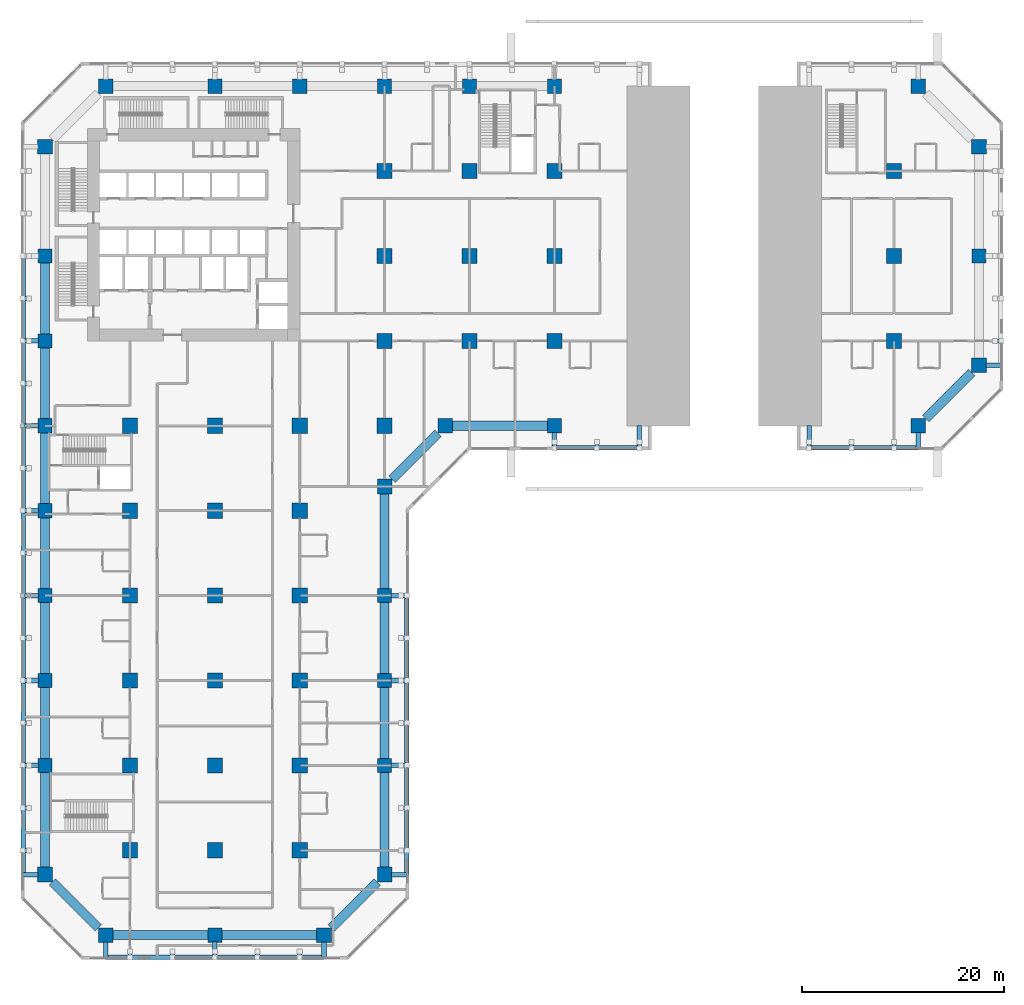
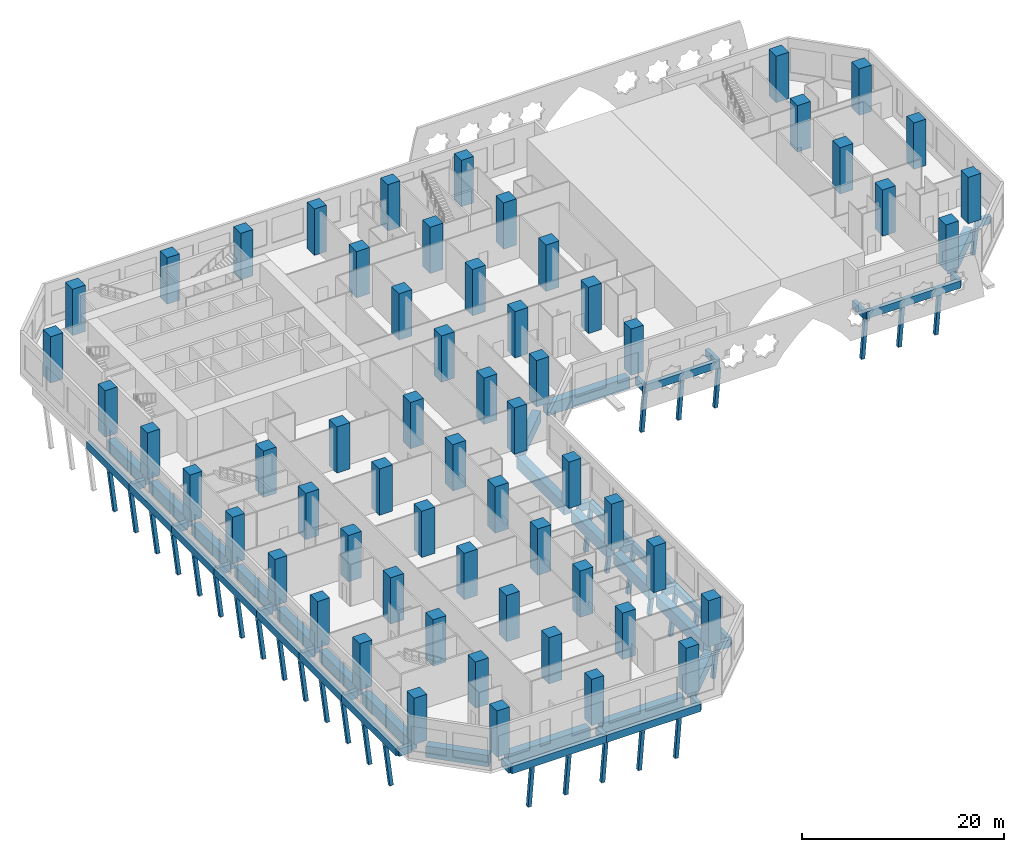
# One storey, part 1 of 24: 61 columns, 51 beams, 33 members.
"""IFC4 building model written with IfcOpenShell, lengths in metres."""

import ifcopenshell
import ifcopenshell.guid

model = None  # the IFC model being written
_history = None  # IfcOwnerHistory: only IFC2X3 demands one
_inside = {}  # id of a spatial element -> (the spatial element, [elements in it])
_under = {}  # id of a project, library or spatial element -> (it, [spatial elements below it])
_declared = {}  # id of a project -> (the project, [libraries it declares])
_typed = {}  # id of a type object -> (the type object, [elements of that type])
_made_of = {}  # id of a material, layer set ... -> (it, [elements and type objects made of it])


def new_model(schema):
    """Start an empty IFC model of exactly this schema.

    Asked for "IFC4X3", IfcOpenShell would pick the latest addendum, in which some entities
    have other attributes; the version numbers below select the first issue.
    IFC2X3 requires an IfcOwnerHistory on every rooted entity: one is made here for all.
    """
    global model, _history
    if schema == "IFC4X3":
        model = ifcopenshell.file(schema_version=(4, 3, 0, 0))
    else:
        model = ifcopenshell.file(schema=schema)
    _inside.clear()
    _under.clear()
    _declared.clear()
    _typed.clear()
    _made_of.clear()
    _history = None
    if model.schema == "IFC2X3":
        org = make("IfcOrganization", Name="unknown")
        user = make(
            "IfcPersonAndOrganization",
            ThePerson=make("IfcPerson", FamilyName="unknown"),
            TheOrganization=org,
        )
        app = make(
            "IfcApplication",
            ApplicationDeveloper=org,
            Version="unknown",
            ApplicationFullName="unknown",
            ApplicationIdentifier="unknown",
        )
        _history = make(
            "IfcOwnerHistory",
            OwningUser=user,
            OwningApplication=app,
            ChangeAction="ADDED",
            CreationDate=0,
        )
    return model


def make(cls, **values):
    """One entity of the class cls with the attributes given. An attribute that is None is left unset."""
    return model.create_entity(
        cls, **{name: value for name, value in values.items() if value is not None}
    )


def rooted(cls, **values):
    """An entity with a GlobalId (a new one), such as an element, a storey or a relation."""
    return make(cls, GlobalId=ifcopenshell.guid.new(), OwnerHistory=_history, **values)


def si_unit(unit_type, name, prefix=None):
    """IfcSIUnit, for example si_unit("LENGTHUNIT", "METRE", prefix="MILLI")."""
    return make("IfcSIUnit", UnitType=unit_type, Prefix=prefix, Name=name)


def assignment(units):
    """IfcUnitAssignment: the units of a project."""
    return None if units is None else make("IfcUnitAssignment", Units=units)


def point(xyz):
    """IfcCartesianPoint."""
    return None if xyz is None else make("IfcCartesianPoint", Coordinates=xyz)


def direction(xyz):
    """IfcDirection."""
    return None if xyz is None else make("IfcDirection", DirectionRatios=xyz)


def frame(location, z_axis=None, x_axis=None):
    """IfcAxis2Placement3D, a coordinate frame: its origin and axes. An axis left out is left unset."""
    return make(
        "IfcAxis2Placement3D",
        Location=point(location),
        Axis=direction(z_axis),
        RefDirection=direction(x_axis),
    )


def frame_2d(location, x_axis=None):
    """IfcAxis2Placement2D, a coordinate frame in the plane: its origin and x axis."""
    return make(
        "IfcAxis2Placement2D", Location=point(location), RefDirection=direction(x_axis)
    )


def origin():
    """The frame at (0, 0, 0) with its axes left unset."""
    return frame((0.0, 0.0, 0.0))


def origin_2d():
    """The frame at (0, 0) in the plane with its x axis left unset."""
    return frame_2d((0.0, 0.0))


def place(relative_to, where):
    """IfcLocalPlacement: puts the frame where relative to a parent placement (None: the world)."""
    return make(
        "IfcLocalPlacement", PlacementRelTo=relative_to, RelativePlacement=where
    )


def context(
    kind, dimensions, precision=None, world=None, true_north=None, identifier=None
):
    """IfcGeometricRepresentationContext, for example the 3D "Model" context."""
    return make(
        "IfcGeometricRepresentationContext",
        ContextIdentifier=identifier,
        ContextType=kind,
        CoordinateSpaceDimension=dimensions,
        Precision=precision,
        WorldCoordinateSystem=world,
        TrueNorth=true_north,
    )


def subcontext(parent, identifier, kind, view, scale=None):
    """IfcGeometricRepresentationSubContext, for example "Body" below "Model"."""
    return make(
        "IfcGeometricRepresentationSubContext",
        ContextIdentifier=identifier,
        ContextType=kind,
        ParentContext=parent,
        TargetScale=scale,
        TargetView=view,
    )


def project(units=None, contexts=None):
    """IfcProject with its units and contexts."""
    return rooted(
        "IfcProject",
        Name="project",
        RepresentationContexts=contexts,
        UnitsInContext=assignment(units),
    )


def spatial(cls, under=None, at=None, **own):
    """A site, building, storey or space (cls), placed at a placement, below another one or the project."""
    s = rooted(cls, ObjectPlacement=at, **own)
    if under is not None:
        _under.setdefault(under.id(), (under, []))[1].append(s)
    return s


def profile(cls, at=None, kind="AREA", **sizes):
    """A parametric profile (cls). Its sizes go by their IFC names, for example OverallWidth=200.0."""
    return make(cls, ProfileType=kind, Position=at, **sizes)


def rectangle(**sizes):
    """IfcRectangleProfileDef."""
    return profile("IfcRectangleProfileDef", **sizes)


def hollow_rectangle(**sizes):
    """IfcRectangleHollowProfileDef."""
    return profile("IfcRectangleHollowProfileDef", **sizes)


def extrude(swept, where, along, depth):
    """IfcExtrudedAreaSolid: the profile swept, set in the frame where, extruded along a direction by depth."""
    return make(
        "IfcExtrudedAreaSolid",
        SweptArea=swept,
        Position=where,
        ExtrudedDirection=direction(along),
        Depth=depth,
    )


def shape(context_of_items, identifier, shape_type, items):
    """IfcShapeRepresentation: the items that make up one representation, for example the "Body"."""
    return make(
        "IfcShapeRepresentation",
        ContextOfItems=context_of_items,
        RepresentationIdentifier=identifier,
        RepresentationType=shape_type,
        Items=items,
    )


def material(Name=None, Category=None):
    """IfcMaterial."""
    return make("IfcMaterial", Name=Name, Category=Category)


def material_profile(
    of_material, cross_section, Name=None, Category=None, Priority=None
):
    """IfcMaterialProfile: a cross section and its material."""
    return make(
        "IfcMaterialProfile",
        Name=Name,
        Material=of_material,
        Profile=cross_section,
        Priority=Priority,
        Category=Category,
    )


def profile_set(profiles, Name=None, composite=None):
    """IfcMaterialProfileSet."""
    return make(
        "IfcMaterialProfileSet",
        Name=Name,
        MaterialProfiles=profiles,
        CompositeProfile=composite,
    )


def made_of(thing, what):
    """Note that an element or type object is made of a material, layer set ...; save() writes the relation."""
    if what is not None:
        _made_of.setdefault(what.id(), (what, []))[1].append(thing)
    return thing


def type_object(cls, material=None, **own):
    """A type object (cls), such as IfcWallType, which elements share."""
    return made_of(rooted(cls, **own), material)


def element(
    cls,
    number,
    at=None,
    inside=None,
    cuts=None,
    type_object=None,
    material=None,
    context=None,
    identifier="Body",
    shape_type=None,
    held_by="IfcProductDefinitionShape",
    body=None,
    shapes=None,
    **own,
):
    """One element of the class cls, such as IfcWall. Its Tag is "e" and its number.

    at: its placement. inside: the storey or other place that contains it. cuts: it is an
    opening in that element (IfcRelVoidsElement). A single representation is given by context,
    identifier, shape_type and body (its items); several are given by shapes. held_by: the class
    of the entity that holds the representations. save() writes the other relations.
    """
    e = rooted(cls, Tag="e%d" % number, ObjectPlacement=at, **own)
    if body is not None:
        shapes = [shape(context, identifier, shape_type, body)]
    if shapes is not None:
        e.Representation = make(held_by, Representations=shapes)
    if inside is not None:
        _inside.setdefault(inside.id(), (inside, []))[1].append(e)
    if cuts is not None:
        rooted(
            "IfcRelVoidsElement", RelatingBuildingElement=cuts, RelatedOpeningElement=e
        )
    if type_object is not None:
        _typed.setdefault(type_object.id(), (type_object, []))[1].append(e)
    return made_of(e, material)


def aggregate(whole, parts):
    """IfcRelAggregates: a whole, such as a stair, and the parts it consists of."""
    return rooted("IfcRelAggregates", RelatingObject=whole, RelatedObjects=parts)


def save(model, path):
    """Write the relations noted so far, then the file.

    IfcRelAggregates (storeys below a building ...), IfcRelContainedInSpatialStructure (elements
    in a storey), IfcRelDefinesByType, IfcRelAssociatesMaterial and IfcRelDeclares: one each for
    every whole, place, type object, material and project.
    """
    for whole, parts in _under.values():
        aggregate(whole, parts)
    for where, things in _inside.values():
        rooted(
            "IfcRelContainedInSpatialStructure",
            RelatedElements=things,
            RelatingStructure=where,
        )
    for kind, things in _typed.values():
        rooted("IfcRelDefinesByType", RelatedObjects=things, RelatingType=kind)
    for what, things in _made_of.values():
        rooted("IfcRelAssociatesMaterial", RelatedObjects=things, RelatingMaterial=what)
    for by, libraries in _declared.values():
        rooted("IfcRelDeclares", RelatingContext=by, RelatedDefinitions=libraries)
    model.write(path)


model = new_model("IFC4")

# Units and contexts
model_context = context("Model", 3, precision=1e-05, world=origin(), true_north=direction((0.0, 1.0)))
body_context = subcontext(model_context, "Body", "Model", "MODEL_VIEW")
ifc_project = project(units=[si_unit("LENGTHUNIT", "METRE"), si_unit("AREAUNIT", "SQUARE_METRE"), si_unit("VOLUMEUNIT", "CUBIC_METRE"), si_unit("PLANEANGLEUNIT", "RADIAN"), si_unit("MASSUNIT", "GRAM", prefix="KILO")], contexts=[model_context])

# Site, building, storey
site_placement = place(None, origin())
site = spatial("IfcSite", under=ifc_project, at=site_placement, CompositionType="ELEMENT")
building_placement = place(site_placement, origin())
building = spatial("IfcBuilding", under=site, at=building_placement, Name="Kawkab Arch Medical Tower", CompositionType="ELEMENT")
storey_placement = place(building_placement, frame((0.0, 0.0, 18.199951171875)))
storey = spatial("IfcBuildingStorey", under=building, at=storey_placement, Name="L04", CompositionType="ELEMENT", Elevation=18.199951171875)

# Columns
ifc_material_1 = material(Name="Concrete C60/75", Category="concrete")
ifc_material_profile_1 = material_profile(ifc_material_1, rectangle(XDim=1.39990234375, YDim=1.39990234375, at=origin_2d()), Name="RC 1400x1400")
ifc_profile_set_1 = profile_set([ifc_material_profile_1], Name="Concrete C60/75")
column_type_1 = type_object("IfcColumnType", Name="RC 1400x1400 column C60/75", PredefinedType="COLUMN", material=ifc_profile_set_1)
for number, where, z_axis, x_axis, name in (
    (1, (16.800048828125, 0.0, 0.0), (0.0, 0.0, 1.0), (1.0, 0.0, 0.0), "Column RC 1400x1400"),
    (2, (25.199951171875, 0.0, 0.0), (0.0, 0.0, 1.0), (1.0, 0.0, 0.0), "Column RC 1400x1400"),
    (3, (33.60009765625, 0.0, 0.0), (0.0, 0.0, 1.0), (1.0, 0.0, 0.0), "Column RC 1400x1400"),
    (4, (42.0, 0.0, 0.0), (0.0, 0.0, 1.0), (1.0, 0.0, 0.0), "Column RC 1400x1400"),
    (5, (50.39990234375, 0.0, 0.0), (0.0, 0.0, 1.0), (1.0, 0.0, 0.0), "Column RC 1400x1400"),
    (6, (0.0, -16.800048828125, 0.0), (0.0, 0.0, 1.0), (1.0, 0.0, 0.0), "Column RC 1400x1400"),
    (7, (92.39990234375, -16.800048828125, 0.0), (0.0, 0.0, 1.0), (1.0, 0.0, 0.0), "Column RC 1400x1400"),
    (8, (0.0, -25.199951171875, 0.0), (0.0, 0.0, 1.0), (1.0, 0.0, 0.0), "Column RC 1400x1400"),
    (9, (0.0, -33.60009765625, 0.0), (0.0, 0.0, 1.0), (1.0, 0.0, 0.0), "Column RC 1400x1400"),
    (10, (50.39990234375, -33.60009765625, 0.0), (0.0, 0.0, 1.0), (1.0, 0.0, 0.0), "Column RC 1400x1400"),
    (11, (0.0, -42.0, 0.0), (0.0, 0.0, 1.0), (1.0, 0.0, 0.0), "Column RC 1400x1400"),
    (12, (0.0, -50.39990234375, 0.0), (0.0, 0.0, 1.0), (1.0, 0.0, 0.0), "Column RC 1400x1400"),
    (13, (33.60009765625, -50.39990234375, 0.0), (0.0, 0.0, 1.0), (1.0, 0.0, 0.0), "Column RC 1400x1400"),
    (14, (0.0, -58.800048828125, 0.0), (0.0, 0.0, 1.0), (1.0, 0.0, 0.0), "Column RC 1400x1400"),
    (15, (33.60009765625, -58.800048828125, 0.0), (0.0, 0.0, 1.0), (1.0, 0.0, 0.0), "Column RC 1400x1400"),
    (16, (0.0, -67.199951171875, 0.0), (0.0, 0.0, 1.0), (1.0, 0.0, 0.0), "Column RC 1400x1400"),
    (17, (33.60009765625, -67.199951171875, 0.0), (0.0, 0.0, 1.0), (1.0, 0.0, 0.0), "Column RC 1400x1400"),
    (18, (16.800048828125, -84.0, 0.0), (0.0, 0.0, 1.0), (1.0, 0.0, 0.0), "Column RC 1400x1400"),
):
    element("IfcColumn", number, at=place(storey_placement, frame(where, z_axis=z_axis, x_axis=x_axis)), inside=storey, type_object=column_type_1, Name=name, PredefinedType="COLUMN", context=body_context, shape_type="SweptSolid", body=[
        extrude(rectangle(XDim=1.39990234375, YDim=1.39990234375, at=origin_2d()), origin(), (0.0, 0.0, 1.0), 5.60009765625),
    ])
ifc_material_2 = material(Name="Concrete C60/75", Category="concrete")
ifc_material_profile_2 = material_profile(ifc_material_2, rectangle(XDim=1.449951171875, YDim=1.449951171875, at=origin_2d()), Name="RC 1450x1450")
ifc_profile_set_2 = profile_set([ifc_material_profile_2], Name="Concrete C60/75")
column_type_2 = type_object("IfcColumnType", Name="RC 1450x1450 column C60/75", PredefinedType="COLUMN", material=ifc_profile_set_2)
for number, where, z_axis, x_axis, name in (
    (19, (6.0, 0.0, 0.0), (0.0, 0.0, 1.0), (1.0, 0.0, 0.0), "Column RC 1450x1450"),
    (20, (86.39990234375, 0.0, 0.0), (0.0, 0.0, 1.0), (1.0, 0.0, 0.0), "Column RC 1450x1450"),
    (21, (0.0, -6.0, 0.0), (0.0, 0.0, 1.0), (1.0, 0.0, 0.0), "Column RC 1450x1450"),
    (22, (92.39990234375, -6.0, 0.0), (0.0, 0.0, 1.0), (1.0, 0.0, 0.0), "Column RC 1450x1450"),
    (23, (92.39990234375, -27.60009765625, 0.0), (0.0, 0.0, 1.0), (1.0, 0.0, 0.0), "Column RC 1450x1450"),
    (24, (39.60009765625, -33.60009765625, 0.0), (0.0, 0.0, 1.0), (1.0, 0.0, 0.0), "Column RC 1450x1450"),
    (25, (86.39990234375, -33.60009765625, 0.0), (0.0, 0.0, 1.0), (1.0, 0.0, 0.0), "Column RC 1450x1450"),
    (26, (33.60009765625, -39.60009765625, 0.0), (0.0, 0.0, 1.0), (1.0, 0.0, 0.0), "Column RC 1450x1450"),
    (27, (0.0, -78.0, 0.0), (0.0, 0.0, 1.0), (1.0, 0.0, 0.0), "Column RC 1450x1450"),
    (28, (33.60009765625, -78.0, 0.0), (0.0, 0.0, 1.0), (1.0, 0.0, 0.0), "Column RC 1450x1450"),
    (29, (6.0, -84.0, 0.0), (0.0, 0.0, 1.0), (1.0, 0.0, 0.0), "Column RC 1450x1450"),
    (30, (27.60009765625, -84.0, 0.0), (0.0, 0.0, 1.0), (1.0, 0.0, 0.0), "Column RC 1450x1450"),
):
    element("IfcColumn", number, at=place(storey_placement, frame(where, z_axis=z_axis, x_axis=x_axis)), inside=storey, type_object=column_type_2, Name=name, PredefinedType="COLUMN", context=body_context, shape_type="SweptSolid", body=[
        extrude(rectangle(XDim=1.449951171875, YDim=1.449951171875, at=origin_2d()), origin(), (0.0, 0.0, 1.0), 5.60009765625),
    ])
ifc_material_3 = material(Name="Concrete C60/75", Category="concrete")
ifc_material_profile_3 = material_profile(ifc_material_3, rectangle(XDim=1.5, YDim=1.5, at=origin_2d()), Name="RC 1500x1500")
ifc_profile_set_3 = profile_set([ifc_material_profile_3], Name="Concrete C60/75")
column_type_3 = type_object("IfcColumnType", Name="RC 1500x1500 column C60/75", PredefinedType="COLUMN", material=ifc_profile_set_3)
for number, where, z_axis, x_axis, name in (
    (31, (33.60009765625, -8.39990234375, 0.0), (0.0, 0.0, 1.0), (1.0, 0.0, 0.0), "Column RC 1500x1500"),
    (32, (42.0, -8.39990234375, 0.0), (0.0, 0.0, 1.0), (1.0, 0.0, 0.0), "Column RC 1500x1500"),
    (33, (50.39990234375, -8.39990234375, 0.0), (0.0, 0.0, 1.0), (1.0, 0.0, 0.0), "Column RC 1500x1500"),
    (34, (84.0, -8.39990234375, 0.0), (0.0, 0.0, 1.0), (1.0, 0.0, 0.0), "Column RC 1500x1500"),
    (35, (33.60009765625, -16.800048828125, 0.0), (0.0, 0.0, 1.0), (1.0, 0.0, 0.0), "Column RC 1500x1500"),
    (36, (42.0, -16.800048828125, 0.0), (0.0, 0.0, 1.0), (1.0, 0.0, 0.0), "Column RC 1500x1500"),
    (37, (50.39990234375, -16.800048828125, 0.0), (0.0, 0.0, 1.0), (1.0, 0.0, 0.0), "Column RC 1500x1500"),
    (38, (84.0, -16.800048828125, 0.0), (0.0, 0.0, 1.0), (1.0, 0.0, 0.0), "Column RC 1500x1500"),
    (39, (33.60009765625, -25.199951171875, 0.0), (0.0, 0.0, 1.0), (1.0, 0.0, 0.0), "Column RC 1500x1500"),
    (40, (42.0, -25.199951171875, 0.0), (0.0, 0.0, 1.0), (1.0, 0.0, 0.0), "Column RC 1500x1500"),
    (41, (50.39990234375, -25.199951171875, 0.0), (0.0, 0.0, 1.0), (1.0, 0.0, 0.0), "Column RC 1500x1500"),
    (42, (84.0, -25.199951171875, 0.0), (0.0, 0.0, 1.0), (1.0, 0.0, 0.0), "Column RC 1500x1500"),
    (43, (8.39990234375, -33.60009765625, 0.0), (0.0, 0.0, 1.0), (1.0, 0.0, 0.0), "Column RC 1500x1500"),
    (44, (16.800048828125, -33.60009765625, 0.0), (0.0, 0.0, 1.0), (1.0, 0.0, 0.0), "Column RC 1500x1500"),
    (45, (25.199951171875, -33.60009765625, 0.0), (0.0, 0.0, 1.0), (1.0, 0.0, 0.0), "Column RC 1500x1500"),
    (46, (33.60009765625, -33.60009765625, 0.0), (0.0, 0.0, 1.0), (1.0, 0.0, 0.0), "Column RC 1500x1500"),
    (47, (8.39990234375, -42.0, 0.0), (0.0, 0.0, 1.0), (1.0, 0.0, 0.0), "Column RC 1500x1500"),
    (48, (16.800048828125, -42.0, 0.0), (0.0, 0.0, 1.0), (1.0, 0.0, 0.0), "Column RC 1500x1500"),
    (49, (25.199951171875, -42.0, 0.0), (0.0, 0.0, 1.0), (1.0, 0.0, 0.0), "Column RC 1500x1500"),
    (50, (8.39990234375, -50.39990234375, 0.0), (0.0, 0.0, 1.0), (1.0, 0.0, 0.0), "Column RC 1500x1500"),
    (51, (16.800048828125, -50.39990234375, 0.0), (0.0, 0.0, 1.0), (1.0, 0.0, 0.0), "Column RC 1500x1500"),
    (52, (25.199951171875, -50.39990234375, 0.0), (0.0, 0.0, 1.0), (1.0, 0.0, 0.0), "Column RC 1500x1500"),
    (53, (8.39990234375, -58.800048828125, 0.0), (0.0, 0.0, 1.0), (1.0, 0.0, 0.0), "Column RC 1500x1500"),
    (54, (16.800048828125, -58.800048828125, 0.0), (0.0, 0.0, 1.0), (1.0, 0.0, 0.0), "Column RC 1500x1500"),
    (55, (25.199951171875, -58.800048828125, 0.0), (0.0, 0.0, 1.0), (1.0, 0.0, 0.0), "Column RC 1500x1500"),
    (56, (8.39990234375, -67.199951171875, 0.0), (0.0, 0.0, 1.0), (1.0, 0.0, 0.0), "Column RC 1500x1500"),
    (57, (16.800048828125, -67.199951171875, 0.0), (0.0, 0.0, 1.0), (1.0, 0.0, 0.0), "Column RC 1500x1500"),
    (58, (25.199951171875, -67.199951171875, 0.0), (0.0, 0.0, 1.0), (1.0, 0.0, 0.0), "Column RC 1500x1500"),
    (59, (8.39990234375, -75.60009765625, 0.0), (0.0, 0.0, 1.0), (1.0, 0.0, 0.0), "Column RC 1500x1500"),
    (60, (16.800048828125, -75.60009765625, 0.0), (0.0, 0.0, 1.0), (1.0, 0.0, 0.0), "Column RC 1500x1500"),
    (61, (25.199951171875, -75.60009765625, 0.0), (0.0, 0.0, 1.0), (1.0, 0.0, 0.0), "Column RC 1500x1500"),
):
    element("IfcColumn", number, at=place(storey_placement, frame(where, z_axis=z_axis, x_axis=x_axis)), inside=storey, type_object=column_type_3, Name=name, PredefinedType="COLUMN", context=body_context, shape_type="SweptSolid", body=[
        extrude(rectangle(XDim=1.5, YDim=1.5, at=origin_2d()), origin(), (0.0, 0.0, 1.0), 5.60009765625),
    ])

# Beams
ifc_material_4 = material(Name="Concrete C60/75", Category="concrete")
ifc_material_profile_4 = material_profile(ifc_material_4, rectangle(XDim=0.449951171875, YDim=0.89990234375, at=origin_2d()), Name="RC 450x900")
ifc_profile_set_4 = profile_set([ifc_material_profile_4], Name="Concrete C60/75")
beam_type_1 = type_object("IfcBeamType", Name="Podium edge beam RC 450x900 C60/75", PredefinedType="BEAM", material=ifc_profile_set_4)
beam_1_placement = place(storey_placement, frame((50.39990234375, -35.77490234375, -0.800048828125), z_axis=(1.0, 0.0, 0.0), x_axis=(0.0, 1.0, 0.0)))
element("IfcBeam", 62, at=beam_1_placement, inside=storey, type_object=beam_type_1, Name="Podium edge beam L04 R02.1", PredefinedType="BEAM", context=body_context, shape_type="SweptSolid", body=[
    extrude(rectangle(XDim=0.449951171875, YDim=0.89990234375, at=origin_2d()), origin(), (0.0, 0.0, 1.0), 8.400146484375),
])
beam_2_placement = place(storey_placement, frame((50.39990234375, -34.25, -0.800048828125), z_axis=(0.0, -1.0, 0.0), x_axis=(1.0, 0.0, 0.0)))
element("IfcBeam", 63, at=beam_2_placement, inside=storey, type_object=beam_type_1, Name="Podium cantilever beam L04 R02.1", PredefinedType="BEAM", context=body_context, shape_type="SweptSolid", body=[
    extrude(rectangle(XDim=0.449951171875, YDim=0.89990234375, at=origin_2d()), origin(), (0.0, 0.0, 1.0), 1.52490234375),
])
beam_3_placement = place(storey_placement, frame((58.800048828125, -33.590087890625, -0.800048828125), z_axis=(0.0, -1.0, 0.0), x_axis=(1.0, 0.0, 0.0)))
element("IfcBeam", 64, at=beam_3_placement, inside=storey, type_object=beam_type_1, Name="Podium cantilever beam L04 R02.2", PredefinedType="BEAM", context=body_context, shape_type="SweptSolid", body=[
    extrude(rectangle(XDim=0.449951171875, YDim=0.89990234375, at=origin_2d()), origin(), (0.0, 0.0, 1.0), 2.184814453125),
])
beam_4_placement = place(storey_placement, frame((-2.175048828125, -16.800048828125, -0.800048828125), z_axis=(0.0, -1.0, 0.0), x_axis=(1.0, 0.0, 0.0)))
element("IfcBeam", 65, at=beam_4_placement, inside=storey, type_object=beam_type_1, Name="Podium edge beam L04 R06.2", PredefinedType="BEAM", context=body_context, shape_type="SweptSolid", body=[
    extrude(rectangle(XDim=0.449951171875, YDim=0.89990234375, at=origin_2d()), origin(), (0.0, 0.0, 1.0), 8.39990234375),
])
beam_5_placement = place(storey_placement, frame((-2.175048828125, -25.199951171875, -0.800048828125), z_axis=(0.0, -1.0, 0.0), x_axis=(1.0, 0.0, 0.0)))
element("IfcBeam", 66, at=beam_5_placement, inside=storey, type_object=beam_type_1, Name="Podium edge beam L04 R06.3", PredefinedType="BEAM", context=body_context, shape_type="SweptSolid", body=[
    extrude(rectangle(XDim=0.449951171875, YDim=0.89990234375, at=origin_2d()), origin(), (0.0, 0.0, 1.0), 8.400146484375),
])
for number, where, z_axis, x_axis, name in (
    (67, (-2.175048828125, -33.60009765625, -0.800048828125), (0.0, -1.0, 0.0), (1.0, 0.0, 0.0), "Podium edge beam L04 R06.4"),
    (68, (-2.175048828125, -42.0, -0.800048828125), (0.0, -1.0, 0.0), (1.0, 0.0, 0.0), "Podium edge beam L04 R06.5"),
):
    element("IfcBeam", number, at=place(storey_placement, frame(where, z_axis=z_axis, x_axis=x_axis)), inside=storey, type_object=beam_type_1, Name=name, PredefinedType="BEAM", context=body_context, shape_type="SweptSolid", body=[
        extrude(rectangle(XDim=0.449951171875, YDim=0.89990234375, at=origin_2d()), origin(), (0.0, 0.0, 1.0), 8.39990234375),
    ])
beam_6_placement = place(storey_placement, frame((-2.175048828125, -50.39990234375, -0.800048828125), z_axis=(0.0, -1.0, 0.0), x_axis=(1.0, 0.0, 0.0)))
element("IfcBeam", 69, at=beam_6_placement, inside=storey, type_object=beam_type_1, Name="Podium edge beam L04 R06.6", PredefinedType="BEAM", context=body_context, shape_type="SweptSolid", body=[
    extrude(rectangle(XDim=0.449951171875, YDim=0.89990234375, at=origin_2d()), origin(), (0.0, 0.0, 1.0), 8.400146484375),
])
beam_7_placement = place(storey_placement, frame((-2.175048828125, -58.800048828125, -0.800048828125), z_axis=(0.0, -1.0, 0.0), x_axis=(1.0, 0.0, 0.0)))
element("IfcBeam", 70, at=beam_7_placement, inside=storey, type_object=beam_type_1, Name="Podium edge beam L04 R06.7", PredefinedType="BEAM", context=body_context, shape_type="SweptSolid", body=[
    extrude(rectangle(XDim=0.449951171875, YDim=0.89990234375, at=origin_2d()), origin(), (0.0, 0.0, 1.0), 8.39990234375),
])
beam_8_placement = place(storey_placement, frame((-2.175048828125, -67.199951171875, -0.800048828125), z_axis=(0.0, -1.0, 0.0), x_axis=(1.0, 0.0, 0.0)))
element("IfcBeam", 71, at=beam_8_placement, inside=storey, type_object=beam_type_1, Name="Podium edge beam L04 R06.8", PredefinedType="BEAM", context=body_context, shape_type="SweptSolid", body=[
    extrude(rectangle(XDim=0.449951171875, YDim=0.89990234375, at=origin_2d()), origin(), (0.0, 0.0, 1.0), 10.800048828125),
])
for number, where, z_axis, x_axis, name in (
    (72, (-0.64990234375, -25.199951171875, -0.800048828125), (-1.0, 0.0, 0.0), (0.0, -1.0, 0.0), "Podium cantilever beam L04 R06.3"),
    (73, (-0.64990234375, -33.60009765625, -0.800048828125), (-1.0, 0.0, 0.0), (0.0, -1.0, 0.0), "Podium cantilever beam L04 R06.4"),
    (74, (-0.64990234375, -42.0, -0.800048828125), (-1.0, 0.0, 0.0), (0.0, -1.0, 0.0), "Podium cantilever beam L04 R06.5"),
    (75, (-0.64990234375, -50.39990234375, -0.800048828125), (-1.0, 0.0, 0.0), (0.0, -1.0, 0.0), "Podium cantilever beam L04 R06.6"),
    (76, (-0.64990234375, -58.800048828125, -0.800048828125), (-1.0, 0.0, 0.0), (0.0, -1.0, 0.0), "Podium cantilever beam L04 R06.7"),
    (77, (-0.64990234375, -67.199951171875, -0.800048828125), (-1.0, 0.0, 0.0), (0.0, -1.0, 0.0), "Podium cantilever beam L04 R06.8"),
):
    element("IfcBeam", number, at=place(storey_placement, frame(where, z_axis=z_axis, x_axis=x_axis)), inside=storey, type_object=beam_type_1, Name=name, PredefinedType="BEAM", context=body_context, shape_type="SweptSolid", body=[
        extrude(rectangle(XDim=0.449951171875, YDim=0.89990234375, at=origin_2d()), origin(), (0.0, 0.0, 1.0), 1.525146484375),
    ])
beam_9_placement = place(storey_placement, frame((-0.675048828125, -78.0, -0.800048828125), z_axis=(-1.0, 0.0, 0.0), x_axis=(0.0, -1.0, 0.0)))
element("IfcBeam", 78, at=beam_9_placement, inside=storey, type_object=beam_type_1, Name="Podium cantilever beam L04 R06.9", PredefinedType="BEAM", context=body_context, shape_type="SweptSolid", body=[
    extrude(rectangle(XDim=0.449951171875, YDim=0.89990234375, at=origin_2d()), origin(), (0.0, 0.0, 1.0), 1.5),
])
for number, where, z_axis, x_axis, name in (
    (79, (6.0, -86.175048828125, -0.800048828125), (1.0, 0.0, 0.0), (0.0, 1.0, 0.0), "Podium edge beam L04 R08.1"),
    (80, (16.800048828125, -86.175048828125, -0.800048828125), (1.0, 0.0, 0.0), (0.0, 1.0, 0.0), "Podium edge beam L04 R08.2"),
):
    element("IfcBeam", number, at=place(storey_placement, frame(where, z_axis=z_axis, x_axis=x_axis)), inside=storey, type_object=beam_type_1, Name=name, PredefinedType="BEAM", context=body_context, shape_type="SweptSolid", body=[
        extrude(rectangle(XDim=0.449951171875, YDim=0.89990234375, at=origin_2d()), origin(), (0.0, 0.0, 1.0), 10.800048828125),
    ])
beam_10_placement = place(storey_placement, frame((6.0, -84.675048828125, -0.800048828125), z_axis=(0.0, -1.0, 0.0), x_axis=(1.0, 0.0, 0.0)))
element("IfcBeam", 81, at=beam_10_placement, inside=storey, type_object=beam_type_1, Name="Podium cantilever beam L04 R08.1", PredefinedType="BEAM", context=body_context, shape_type="SweptSolid", body=[
    extrude(rectangle(XDim=0.449951171875, YDim=0.89990234375, at=origin_2d()), origin(), (0.0, 0.0, 1.0), 1.5),
])
beam_11_placement = place(storey_placement, frame((16.800048828125, -84.64990234375, -0.800048828125), z_axis=(0.0, -1.0, 0.0), x_axis=(1.0, 0.0, 0.0)))
element("IfcBeam", 82, at=beam_11_placement, inside=storey, type_object=beam_type_1, Name="Podium cantilever beam L04 R08.2", PredefinedType="BEAM", context=body_context, shape_type="SweptSolid", body=[
    extrude(rectangle(XDim=0.449951171875, YDim=0.89990234375, at=origin_2d()), origin(), (0.0, 0.0, 1.0), 1.525146484375),
])
beam_12_placement = place(storey_placement, frame((27.60009765625, -84.675048828125, -0.800048828125), z_axis=(0.0, -1.0, 0.0), x_axis=(1.0, 0.0, 0.0)))
element("IfcBeam", 83, at=beam_12_placement, inside=storey, type_object=beam_type_1, Name="Podium cantilever beam L04 R08.3", PredefinedType="BEAM", context=body_context, shape_type="SweptSolid", body=[
    extrude(rectangle(XDim=0.449951171875, YDim=0.89990234375, at=origin_2d()), origin(), (0.0, 0.0, 1.0), 1.5),
])
beam_13_placement = place(storey_placement, frame((35.77490234375, -78.0, -0.800048828125), z_axis=(0.0, 1.0, 0.0), x_axis=(-1.0, 0.0, 0.0)))
element("IfcBeam", 84, at=beam_13_placement, inside=storey, type_object=beam_type_1, Name="Podium edge beam L04 R10.1", PredefinedType="BEAM", context=body_context, shape_type="SweptSolid", body=[
    extrude(rectangle(XDim=0.449951171875, YDim=0.89990234375, at=origin_2d()), origin(), (0.0, 0.0, 1.0), 10.800048828125),
])
beam_14_placement = place(storey_placement, frame((35.77490234375, -67.199951171875, -0.800048828125), z_axis=(0.0, 1.0, 0.0), x_axis=(-1.0, 0.0, 0.0)))
element("IfcBeam", 85, at=beam_14_placement, inside=storey, type_object=beam_type_1, Name="Podium edge beam L04 R10.2", PredefinedType="BEAM", context=body_context, shape_type="SweptSolid", body=[
    extrude(rectangle(XDim=0.449951171875, YDim=0.89990234375, at=origin_2d()), origin(), (0.0, 0.0, 1.0), 8.39990234375),
])
beam_15_placement = place(storey_placement, frame((35.77490234375, -58.800048828125, -0.800048828125), z_axis=(0.0, 1.0, 0.0), x_axis=(-1.0, 0.0, 0.0)))
element("IfcBeam", 86, at=beam_15_placement, inside=storey, type_object=beam_type_1, Name="Podium edge beam L04 R10.3", PredefinedType="BEAM", context=body_context, shape_type="SweptSolid", body=[
    extrude(rectangle(XDim=0.449951171875, YDim=0.89990234375, at=origin_2d()), origin(), (0.0, 0.0, 1.0), 8.400146484375),
])
beam_16_placement = place(storey_placement, frame((34.27490234375, -78.0, -0.800048828125), z_axis=(1.0, 0.0, 0.0), x_axis=(0.0, 1.0, 0.0)))
element("IfcBeam", 87, at=beam_16_placement, inside=storey, type_object=beam_type_1, Name="Podium cantilever beam L04 R10.1", PredefinedType="BEAM", context=body_context, shape_type="SweptSolid", body=[
    extrude(rectangle(XDim=0.449951171875, YDim=0.89990234375, at=origin_2d()), origin(), (0.0, 0.0, 1.0), 1.5),
])
for number, where, z_axis, x_axis, name in (
    (88, (34.25, -67.199951171875, -0.800048828125), (1.0, 0.0, 0.0), (0.0, 1.0, 0.0), "Podium cantilever beam L04 R10.2"),
    (89, (34.25, -58.800048828125, -0.800048828125), (1.0, 0.0, 0.0), (0.0, 1.0, 0.0), "Podium cantilever beam L04 R10.3"),
    (90, (34.25, -50.39990234375, -0.800048828125), (1.0, 0.0, 0.0), (0.0, 1.0, 0.0), "Podium cantilever beam L04 R10.4"),
):
    element("IfcBeam", number, at=place(storey_placement, frame(where, z_axis=z_axis, x_axis=x_axis)), inside=storey, type_object=beam_type_1, Name=name, PredefinedType="BEAM", context=body_context, shape_type="SweptSolid", body=[
        extrude(rectangle(XDim=0.449951171875, YDim=0.89990234375, at=origin_2d()), origin(), (0.0, 0.0, 1.0), 1.52490234375),
    ])
beam_17_placement = place(storey_placement, frame((75.60009765625, -35.77490234375, -0.800048828125), z_axis=(1.0, 0.0, 0.0), x_axis=(0.0, 1.0, 0.0)))
element("IfcBeam", 91, at=beam_17_placement, inside=storey, type_object=beam_type_1, Name="Podium edge beam L04 R14.1", PredefinedType="BEAM", context=body_context, shape_type="SweptSolid", body=[
    extrude(rectangle(XDim=0.449951171875, YDim=0.89990234375, at=origin_2d()), origin(), (0.0, 0.0, 1.0), 10.7998046875),
])
beam_18_placement = place(storey_placement, frame((75.60009765625, -33.590087890625, -0.800048828125), z_axis=(0.0, -1.0, 0.0), x_axis=(1.0, 0.0, 0.0)))
element("IfcBeam", 92, at=beam_18_placement, inside=storey, type_object=beam_type_1, Name="Podium cantilever beam L04 R14.1", PredefinedType="BEAM", context=body_context, shape_type="SweptSolid", body=[
    extrude(rectangle(XDim=0.449951171875, YDim=0.89990234375, at=origin_2d()), origin(), (0.0, 0.0, 1.0), 2.184814453125),
])
for number, where, z_axis, x_axis, name in (
    (93, (86.39990234375, -34.27490234375, -0.800048828125), (0.0, -1.0, 0.0), (1.0, 0.0, 0.0), "Podium cantilever beam L04 R14.2"),
    (94, (93.074951171875, -27.60009765625, -0.800048828125), (1.0, 0.0, 0.0), (0.0, 1.0, 0.0), "Podium cantilever beam L04 R16.1"),
):
    element("IfcBeam", number, at=place(storey_placement, frame(where, z_axis=z_axis, x_axis=x_axis)), inside=storey, type_object=beam_type_1, Name=name, PredefinedType="BEAM", context=body_context, shape_type="SweptSolid", body=[
        extrude(rectangle(XDim=0.449951171875, YDim=0.89990234375, at=origin_2d()), origin(), (0.0, 0.0, 1.0), 1.5),
    ])

# Members
ifc_material_5 = material(Name="Steel S355", Category="steel")
ifc_material_profile_5 = material_profile(ifc_material_5, hollow_rectangle(XDim=0.39990234375, YDim=0.39990234375, WallThickness=0.01611328125, at=origin_2d()), Name="SHS 400x400x16")
ifc_profile_set_5 = profile_set([ifc_material_profile_5], Name="Steel S355")
member_type = type_object("IfcMemberType", Name="Podium raking strut SHS 400x400x16", PredefinedType="STRUT", material=ifc_profile_set_5)
for number, where, z_axis, x_axis, name in (
    (95, (50.39990234375, -35.202392578125, -6.380126953125), (0.0, -0.121723293354, 0.992564073426), (1.0, 0.0, 0.0), "Raking strut L04 1"),
    (96, (54.60009765625, -35.202392578125, -6.380126953125), (0.0, -0.121723293354, 0.992564073426), (1.0, 0.0, 0.0), "Raking strut L04 2"),
    (97, (58.800048828125, -35.202392578125, -6.380126953125), (0.0, -0.121723293354, 0.992564073426), (1.0, 0.0, 0.0), "Raking strut L04 3"),
    (98, (-1.602294921875, -21.0, -6.380126953125), (-0.121770008872, 0.0, 0.992558343343), (0.0, -1.0, 0.0), "Raking strut L04 20"),
    (99, (-1.602294921875, -25.199951171875, -6.380126953125), (-0.121770008872, 0.0, 0.992558343343), (0.0, -1.0, 0.0), "Raking strut L04 21"),
    (100, (-1.602294921875, -29.39990234375, -6.380126953125), (-0.121770008872, 0.0, 0.992558343343), (0.0, -1.0, 0.0), "Raking strut L04 22"),
    (101, (-1.602294921875, -33.60009765625, -6.380126953125), (-0.121770008872, 0.0, 0.992558343343), (0.0, -1.0, 0.0), "Raking strut L04 23"),
    (102, (-1.602294921875, -37.800048828125, -6.380126953125), (-0.121770008872, 0.0, 0.992558343343), (0.0, -1.0, 0.0), "Raking strut L04 24"),
    (103, (-1.602294921875, -42.0, -6.380126953125), (-0.121770008872, 0.0, 0.992558343343), (0.0, -1.0, 0.0), "Raking strut L04 25"),
    (104, (-1.602294921875, -46.199951171875, -6.380126953125), (-0.121770008872, 0.0, 0.992558343343), (0.0, -1.0, 0.0), "Raking strut L04 26"),
    (105, (-1.602294921875, -50.39990234375, -6.380126953125), (-0.121770008872, 0.0, 0.992558343343), (0.0, -1.0, 0.0), "Raking strut L04 27"),
    (106, (-1.602294921875, -54.60009765625, -6.380126953125), (-0.121770008872, 0.0, 0.992558343343), (0.0, -1.0, 0.0), "Raking strut L04 28"),
    (107, (-1.602294921875, -58.800048828125, -6.380126953125), (-0.121770008872, 0.0, 0.992558343343), (0.0, -1.0, 0.0), "Raking strut L04 29"),
    (108, (-1.602294921875, -63.0, -6.380126953125), (-0.121770008872, 0.0, 0.992558343343), (0.0, -1.0, 0.0), "Raking strut L04 30"),
    (109, (-1.602294921875, -67.199951171875, -6.380126953125), (-0.121770008872, 0.0, 0.992558343343), (0.0, -1.0, 0.0), "Raking strut L04 31"),
    (110, (-1.602294921875, -71.39990234375, -6.380126953125), (-0.121770008872, 0.0, 0.992558343343), (0.0, -1.0, 0.0), "Raking strut L04 32"),
    (111, (-1.602294921875, -75.60009765625, -6.380126953125), (-0.121770008872, 0.0, 0.992558343343), (0.0, -1.0, 0.0), "Raking strut L04 33"),
    (112, (8.39990234375, -85.602294921875, -6.380126953125), (0.0, -0.121770008872, 0.992558343343), (1.0, 0.0, 0.0), "Raking strut L04 34"),
    (113, (12.60009765625, -85.602294921875, -6.380126953125), (0.0, -0.121770008872, 0.992558343343), (1.0, 0.0, 0.0), "Raking strut L04 35"),
    (114, (16.800048828125, -85.602294921875, -6.380126953125), (0.0, -0.121770008872, 0.992558343343), (1.0, 0.0, 0.0), "Raking strut L04 36"),
    (115, (21.0, -85.602294921875, -6.380126953125), (0.0, -0.121770008872, 0.992558343343), (1.0, 0.0, 0.0), "Raking strut L04 37"),
    (116, (25.199951171875, -85.602294921875, -6.380126953125), (0.0, -0.121770008872, 0.992558343343), (1.0, 0.0, 0.0), "Raking strut L04 38"),
    (117, (35.202392578125, -50.39990234375, -6.380126953125), (0.121723293354, 0.0, 0.992564073426), (0.0, 1.0, 0.0), "Raking strut L04 39"),
    (118, (35.202392578125, -54.60009765625, -6.380126953125), (0.121723293354, 0.0, 0.992564073426), (0.0, 1.0, 0.0), "Raking strut L04 40"),
    (119, (35.202392578125, -58.800048828125, -6.380126953125), (0.121723293354, 0.0, 0.992564073426), (0.0, 1.0, 0.0), "Raking strut L04 41"),
    (120, (35.202392578125, -63.0, -6.380126953125), (0.121723293354, 0.0, 0.992564073426), (0.0, 1.0, 0.0), "Raking strut L04 42"),
    (121, (35.202392578125, -67.199951171875, -6.380126953125), (0.121723293354, 0.0, 0.992564073426), (0.0, 1.0, 0.0), "Raking strut L04 43"),
    (122, (35.202392578125, -71.39990234375, -6.380126953125), (0.121723293354, 0.0, 0.992564073426), (0.0, 1.0, 0.0), "Raking strut L04 44"),
    (123, (35.202392578125, -75.60009765625, -6.380126953125), (0.121723293354, 0.0, 0.992564073426), (0.0, 1.0, 0.0), "Raking strut L04 45"),
    (124, (75.60009765625, -35.202392578125, -6.380126953125), (0.0, -0.121723293354, 0.992564073426), (1.0, 0.0, 0.0), "Raking strut L04 49"),
    (125, (79.800048828125, -35.202392578125, -6.380126953125), (0.0, -0.121723293354, 0.992564073426), (1.0, 0.0, 0.0), "Raking strut L04 50"),
    (126, (84.0, -35.202392578125, -6.380126953125), (0.0, -0.121723293354, 0.992564073426), (1.0, 0.0, 0.0), "Raking strut L04 51"),
    (127, (94.00244140625, -25.199951171875, -6.380126953125), (0.121723293354, 0.0, 0.992564073426), (0.0, 1.0, 0.0), "Raking strut L04 56"),
):
    element("IfcMember", number, at=place(storey_placement, frame(where, z_axis=z_axis, x_axis=x_axis)), inside=storey, type_object=member_type, Name=name, PredefinedType="STRUT", context=body_context, shape_type="SweptSolid", body=[
        extrude(hollow_rectangle(XDim=0.39990234375, YDim=0.39990234375, WallThickness=0.01611328125, at=origin_2d()), origin(), (0.0, 0.0, 1.0), 5.148681640625),
    ])

# Beams
ifc_material_6 = material(Name="Concrete C60/75", Category="concrete")
ifc_material_profile_6 = material_profile(ifc_material_6, rectangle(XDim=0.89990234375, YDim=1.39990234375, at=origin_2d()), Name="RC 900x1400")
ifc_profile_set_6 = profile_set([ifc_material_profile_6], Name="Concrete C60/75")
beam_type_2 = type_object("IfcBeamType", Name="RC 900x1400 beam C60/75", PredefinedType="BEAM", material=ifc_profile_set_6)
for number, where, z_axis, x_axis, name in (
    (128, (0.0, -17.5, -1.050048828125), (0.0, -1.0, 0.0), (1.0, 0.0, 0.0), "Podium edge beam L04-02"),
    (129, (0.0, -25.89990234375, -1.050048828125), (0.0, -1.0, 0.0), (1.0, 0.0, 0.0), "Podium edge beam L04-03"),
    (130, (0.0, -34.300048828125, -1.050048828125), (0.0, -1.0, 0.0), (1.0, 0.0, 0.0), "Podium edge beam L04-04"),
    (131, (0.0, -42.699951171875, -1.050048828125), (0.0, -1.0, 0.0), (1.0, 0.0, 0.0), "Podium edge beam L04-05"),
    (132, (0.0, -51.10009765625, -1.050048828125), (0.0, -1.0, 0.0), (1.0, 0.0, 0.0), "Podium edge beam L04-06"),
    (133, (0.0, -59.5, -1.050048828125), (0.0, -1.0, 0.0), (1.0, 0.0, 0.0), "Podium edge beam L04-07"),
):
    element("IfcBeam", number, at=place(storey_placement, frame(where, z_axis=z_axis, x_axis=x_axis)), inside=storey, type_object=beam_type_2, Name=name, PredefinedType="BEAM", context=body_context, shape_type="SweptSolid", body=[
        extrude(rectangle(XDim=0.89990234375, YDim=1.39990234375, at=origin_2d()), origin(), (0.0, 0.0, 1.0), 7.0),
    ])
beam_19_placement = place(storey_placement, frame((0.0, -67.89990234375, -1.050048828125), z_axis=(0.0, -1.0, 0.0), x_axis=(1.0, 0.0, 0.0)))
element("IfcBeam", 134, at=beam_19_placement, inside=storey, type_object=beam_type_2, Name="Podium edge beam L04-08", PredefinedType="BEAM", context=body_context, shape_type="SweptSolid", body=[
    extrude(rectangle(XDim=0.89990234375, YDim=1.39990234375, at=origin_2d()), origin(), (0.0, 0.0, 1.0), 9.375),
])
beam_20_placement = place(storey_placement, frame((0.72509765625, -78.72509765625, -1.050048828125), z_axis=(0.707106781187, -0.707106781187, 0.0), x_axis=(0.707106781187, 0.707106781187, 0.0)))
element("IfcBeam", 135, at=beam_20_placement, inside=storey, type_object=beam_type_2, Name="Podium edge beam L04-09", PredefinedType="BEAM", context=body_context, shape_type="SweptSolid", body=[
    extrude(rectangle(XDim=0.89990234375, YDim=1.39990234375, at=origin_2d()), origin(), (0.0, 0.0, 1.0), 6.434326171875),
])
for number, where, z_axis, x_axis, name in (
    (136, (6.72509765625, -84.0, -1.050048828125), (1.0, 0.0, 0.0), (0.0, 1.0, 0.0), "Podium edge beam L04-10"),
    (137, (17.5, -84.0, -1.050048828125), (1.0, 0.0, 0.0), (0.0, 1.0, 0.0), "Podium edge beam L04-11"),
):
    element("IfcBeam", number, at=place(storey_placement, frame(where, z_axis=z_axis, x_axis=x_axis)), inside=storey, type_object=beam_type_2, Name=name, PredefinedType="BEAM", context=body_context, shape_type="SweptSolid", body=[
        extrude(rectangle(XDim=0.89990234375, YDim=1.39990234375, at=origin_2d()), origin(), (0.0, 0.0, 1.0), 9.375),
    ])
beam_21_placement = place(storey_placement, frame((28.324951171875, -83.27490234375, -1.050048828125), z_axis=(0.707125751951, 0.707087809913, 0.0), x_axis=(-0.707087809913, 0.707125751951, 0.0)))
element("IfcBeam", 138, at=beam_21_placement, inside=storey, type_object=beam_type_2, Name="Podium edge beam L04-12", PredefinedType="BEAM", context=body_context, shape_type="SweptSolid", body=[
    extrude(rectangle(XDim=0.89990234375, YDim=1.39990234375, at=origin_2d()), origin(), (0.0, 0.0, 1.0), 6.4345703125),
])
beam_22_placement = place(storey_placement, frame((33.60009765625, -77.27490234375, -1.050048828125), z_axis=(0.0, 1.0, 0.0), x_axis=(-1.0, 0.0, 0.0)))
element("IfcBeam", 139, at=beam_22_placement, inside=storey, type_object=beam_type_2, Name="Podium edge beam L04-13", PredefinedType="BEAM", context=body_context, shape_type="SweptSolid", body=[
    extrude(rectangle(XDim=0.89990234375, YDim=1.39990234375, at=origin_2d()), origin(), (0.0, 0.0, 1.0), 9.375),
])
for number, where, z_axis, x_axis, name in (
    (140, (33.60009765625, -66.5, -1.050048828125), (0.0, 1.0, 0.0), (-1.0, 0.0, 0.0), "Podium edge beam L04-14"),
    (141, (33.60009765625, -58.10009765625, -1.050048828125), (0.0, 1.0, 0.0), (-1.0, 0.0, 0.0), "Podium edge beam L04-15"),
):
    element("IfcBeam", number, at=place(storey_placement, frame(where, z_axis=z_axis, x_axis=x_axis)), inside=storey, type_object=beam_type_2, Name=name, PredefinedType="BEAM", context=body_context, shape_type="SweptSolid", body=[
        extrude(rectangle(XDim=0.89990234375, YDim=1.39990234375, at=origin_2d()), origin(), (0.0, 0.0, 1.0), 7.0),
    ])
beam_23_placement = place(storey_placement, frame((33.60009765625, -49.699951171875, -1.050048828125), z_axis=(0.0, 1.0, 0.0), x_axis=(-1.0, 0.0, 0.0)))
element("IfcBeam", 142, at=beam_23_placement, inside=storey, type_object=beam_type_2, Name="Podium edge beam L04-16", PredefinedType="BEAM", context=body_context, shape_type="SweptSolid", body=[
    extrude(rectangle(XDim=0.89990234375, YDim=1.39990234375, at=origin_2d()), origin(), (0.0, 0.0, 1.0), 9.375),
])
beam_24_placement = place(storey_placement, frame((34.324951171875, -38.875, -1.050048828125), z_axis=(0.707106781187, 0.707106781187, 0.0), x_axis=(-0.707106781187, 0.707106781187, 0.0)))
element("IfcBeam", 143, at=beam_24_placement, inside=storey, type_object=beam_type_2, Name="Podium edge beam L04-17", PredefinedType="BEAM", context=body_context, shape_type="SweptSolid", body=[
    extrude(rectangle(XDim=0.89990234375, YDim=1.39990234375, at=origin_2d()), origin(), (0.0, 0.0, 1.0), 6.434814453125),
])
beam_25_placement = place(storey_placement, frame((40.324951171875, -33.60009765625, -1.050048828125), z_axis=(1.0, 0.0, 0.0), x_axis=(0.0, 1.0, 0.0)))
element("IfcBeam", 144, at=beam_25_placement, inside=storey, type_object=beam_type_2, Name="Podium edge beam L04-18", PredefinedType="BEAM", context=body_context, shape_type="SweptSolid", body=[
    extrude(rectangle(XDim=0.89990234375, YDim=1.39990234375, at=origin_2d()), origin(), (0.0, 0.0, 1.0), 9.375),
])
beam_26_placement = place(storey_placement, frame((87.125, -32.875, -1.050048828125), z_axis=(0.707106781187, 0.707106781187, 0.0), x_axis=(-0.707106781187, 0.707106781187, 0.0)))
element("IfcBeam", 145, at=beam_26_placement, inside=storey, type_object=beam_type_2, Name="Podium edge beam L04-19", PredefinedType="BEAM", context=body_context, shape_type="SweptSolid", body=[
    extrude(rectangle(XDim=0.89990234375, YDim=1.39990234375, at=origin_2d()), origin(), (0.0, 0.0, 1.0), 6.434814453125),
])

save(model, "model.ifc")
